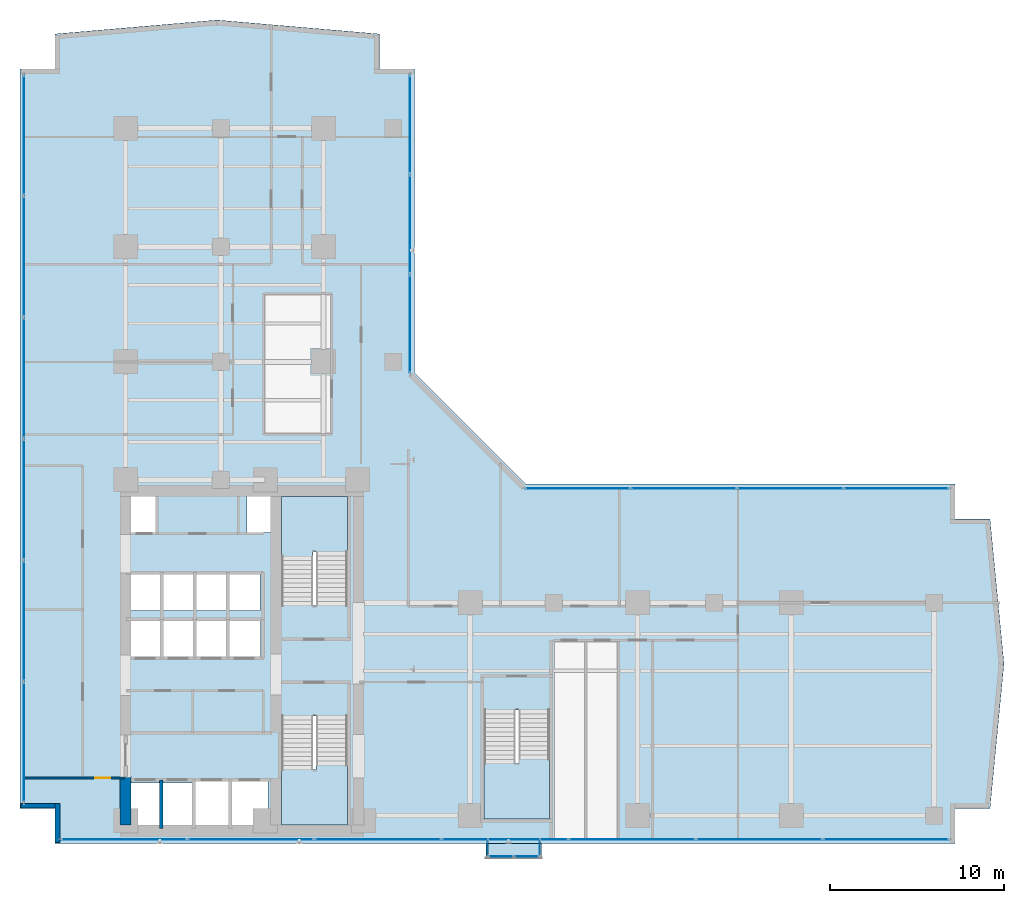
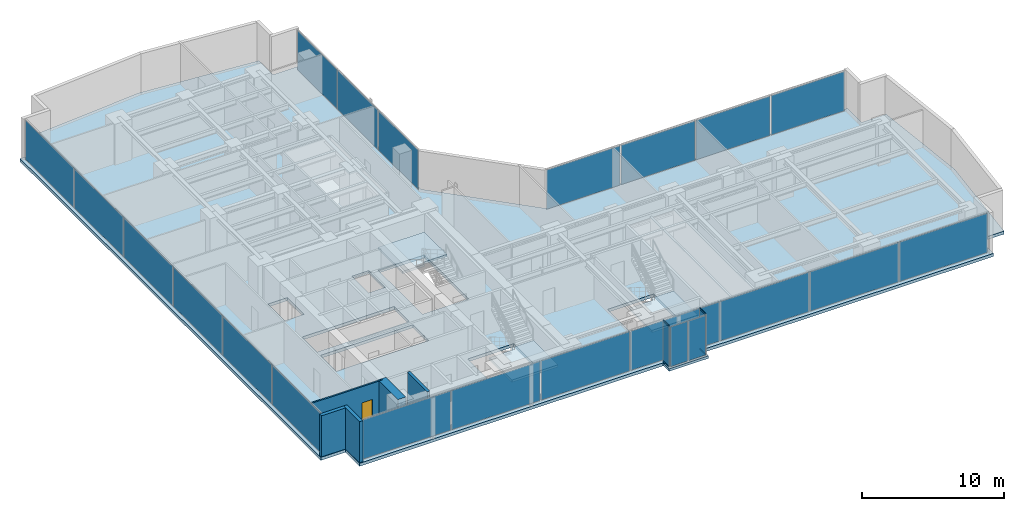
# One storey, part 18 of 26: 24 plates, 5 slabs, 5 walls, 4 members, 1 door, 1 opening, 10 elements without a shape of their own.
"""IFC4 building model written with IfcOpenShell, lengths in metres."""

import ifcopenshell
import ifcopenshell.guid

model = None  # the IFC model being written
_history = None  # IfcOwnerHistory: only IFC2X3 demands one
_inside = {}  # id of a spatial element -> (the spatial element, [elements in it])
_under = {}  # id of a project, library or spatial element -> (it, [spatial elements below it])
_declared = {}  # id of a project -> (the project, [libraries it declares])
_typed = {}  # id of a type object -> (the type object, [elements of that type])
_made_of = {}  # id of a material, layer set ... -> (it, [elements and type objects made of it])


def new_model(schema):
    """Start an empty IFC model of exactly this schema.

    Asked for "IFC4X3", IfcOpenShell would pick the latest addendum, in which some entities
    have other attributes; the version numbers below select the first issue.
    IFC2X3 requires an IfcOwnerHistory on every rooted entity: one is made here for all.
    """
    global model, _history
    if schema == "IFC4X3":
        model = ifcopenshell.file(schema_version=(4, 3, 0, 0))
    else:
        model = ifcopenshell.file(schema=schema)
    _inside.clear()
    _under.clear()
    _declared.clear()
    _typed.clear()
    _made_of.clear()
    _history = None
    if model.schema == "IFC2X3":
        org = make("IfcOrganization", Name="unknown")
        user = make(
            "IfcPersonAndOrganization",
            ThePerson=make("IfcPerson", FamilyName="unknown"),
            TheOrganization=org,
        )
        app = make(
            "IfcApplication",
            ApplicationDeveloper=org,
            Version="unknown",
            ApplicationFullName="unknown",
            ApplicationIdentifier="unknown",
        )
        _history = make(
            "IfcOwnerHistory",
            OwningUser=user,
            OwningApplication=app,
            ChangeAction="ADDED",
            CreationDate=0,
        )
    return model


def make(cls, **values):
    """One entity of the class cls with the attributes given. An attribute that is None is left unset."""
    return model.create_entity(
        cls, **{name: value for name, value in values.items() if value is not None}
    )


def rooted(cls, **values):
    """An entity with a GlobalId (a new one), such as an element, a storey or a relation."""
    return make(cls, GlobalId=ifcopenshell.guid.new(), OwnerHistory=_history, **values)


def si_unit(unit_type, name, prefix=None):
    """IfcSIUnit, for example si_unit("LENGTHUNIT", "METRE", prefix="MILLI")."""
    return make("IfcSIUnit", UnitType=unit_type, Prefix=prefix, Name=name)


def assignment(units):
    """IfcUnitAssignment: the units of a project."""
    return None if units is None else make("IfcUnitAssignment", Units=units)


def point(xyz):
    """IfcCartesianPoint."""
    return None if xyz is None else make("IfcCartesianPoint", Coordinates=xyz)


def direction(xyz):
    """IfcDirection."""
    return None if xyz is None else make("IfcDirection", DirectionRatios=xyz)


def frame(location, z_axis=None, x_axis=None):
    """IfcAxis2Placement3D, a coordinate frame: its origin and axes. An axis left out is left unset."""
    return make(
        "IfcAxis2Placement3D",
        Location=point(location),
        Axis=direction(z_axis),
        RefDirection=direction(x_axis),
    )


def frame_2d(location, x_axis=None):
    """IfcAxis2Placement2D, a coordinate frame in the plane: its origin and x axis."""
    return make(
        "IfcAxis2Placement2D", Location=point(location), RefDirection=direction(x_axis)
    )


def origin():
    """The frame at (0, 0, 0) with its axes left unset."""
    return frame((0.0, 0.0, 0.0))


def origin_with_axes():
    """The frame at (0, 0, 0) with the z axis (0, 0, 1) and the x axis (1, 0, 0) written out."""
    return frame((0.0, 0.0, 0.0), z_axis=(0.0, 0.0, 1.0), x_axis=(1.0, 0.0, 0.0))


def origin_2d():
    """The frame at (0, 0) in the plane with its x axis left unset."""
    return frame_2d((0.0, 0.0))


def place(relative_to, where):
    """IfcLocalPlacement: puts the frame where relative to a parent placement (None: the world)."""
    return make(
        "IfcLocalPlacement", PlacementRelTo=relative_to, RelativePlacement=where
    )


def context(
    kind, dimensions, precision=None, world=None, true_north=None, identifier=None
):
    """IfcGeometricRepresentationContext, for example the 3D "Model" context."""
    return make(
        "IfcGeometricRepresentationContext",
        ContextIdentifier=identifier,
        ContextType=kind,
        CoordinateSpaceDimension=dimensions,
        Precision=precision,
        WorldCoordinateSystem=world,
        TrueNorth=true_north,
    )


def subcontext(parent, identifier, kind, view, scale=None):
    """IfcGeometricRepresentationSubContext, for example "Body" below "Model"."""
    return make(
        "IfcGeometricRepresentationSubContext",
        ContextIdentifier=identifier,
        ContextType=kind,
        ParentContext=parent,
        TargetScale=scale,
        TargetView=view,
    )


def project(units=None, contexts=None):
    """IfcProject with its units and contexts."""
    return rooted(
        "IfcProject",
        Name="project",
        RepresentationContexts=contexts,
        UnitsInContext=assignment(units),
    )


def spatial(cls, under=None, at=None, **own):
    """A site, building, storey or space (cls), placed at a placement, below another one or the project."""
    s = rooted(cls, ObjectPlacement=at, **own)
    if under is not None:
        _under.setdefault(under.id(), (under, []))[1].append(s)
    return s


def polyline(points):
    """IfcPolyline through the points."""
    return make("IfcPolyline", Points=[point(p) for p in points])


def profile(cls, at=None, kind="AREA", **sizes):
    """A parametric profile (cls). Its sizes go by their IFC names, for example OverallWidth=200.0."""
    return make(cls, ProfileType=kind, Position=at, **sizes)


def rectangle(**sizes):
    """IfcRectangleProfileDef."""
    return profile("IfcRectangleProfileDef", **sizes)


def hollow_rectangle(**sizes):
    """IfcRectangleHollowProfileDef."""
    return profile("IfcRectangleHollowProfileDef", **sizes)


def outline(outer, holes=None, kind="AREA"):
    """IfcArbitraryClosedProfileDef: a profile drawn as a closed curve; with holes, ...WithVoids."""
    if holes is None:
        return make("IfcArbitraryClosedProfileDef", ProfileType=kind, OuterCurve=outer)
    return make(
        "IfcArbitraryProfileDefWithVoids",
        ProfileType=kind,
        OuterCurve=outer,
        InnerCurves=holes,
    )


def extrude(swept, where, along, depth):
    """IfcExtrudedAreaSolid: the profile swept, set in the frame where, extruded along a direction by depth."""
    return make(
        "IfcExtrudedAreaSolid",
        SweptArea=swept,
        Position=where,
        ExtrudedDirection=direction(along),
        Depth=depth,
    )


def shape(context_of_items, identifier, shape_type, items):
    """IfcShapeRepresentation: the items that make up one representation, for example the "Body"."""
    return make(
        "IfcShapeRepresentation",
        ContextOfItems=context_of_items,
        RepresentationIdentifier=identifier,
        RepresentationType=shape_type,
        Items=items,
    )


def source(mapping_origin, context_of_items, identifier, shape_type, items):
    """IfcRepresentationMap: a shape defined once, which mapped items show again and again."""
    return make(
        "IfcRepresentationMap",
        MappingOrigin=mapping_origin,
        MappedRepresentation=shape(context_of_items, identifier, shape_type, items),
    )


def transform(
    local_origin,
    x_axis=None,
    y_axis=None,
    z_axis=None,
    scale=None,
    scale2=None,
    scale3=None,
    uniform=True,
):
    """IfcCartesianTransformationOperator3D, or its non-uniform kind. x_axis, y_axis, z_axis: its Axis1, 2, 3."""
    if uniform:
        return make(
            "IfcCartesianTransformationOperator3D",
            Axis1=direction(x_axis),
            Axis2=direction(y_axis),
            LocalOrigin=point(local_origin),
            Scale=scale,
            Axis3=direction(z_axis),
        )
    return make(
        "IfcCartesianTransformationOperator3DnonUniform",
        Axis1=direction(x_axis),
        Axis2=direction(y_axis),
        LocalOrigin=point(local_origin),
        Scale=scale,
        Axis3=direction(z_axis),
        Scale2=scale2,
        Scale3=scale3,
    )


def mapped(mapping_source, mapping_target):
    """IfcMappedItem: shows the shape of a source again, moved by a transform."""
    return make(
        "IfcMappedItem", MappingSource=mapping_source, MappingTarget=mapping_target
    )


def material(Name=None, Category=None):
    """IfcMaterial."""
    return make("IfcMaterial", Name=Name, Category=Category)


def layer(
    of_material, thickness, ventilated=None, Name=None, Category=None, Priority=None
):
    """IfcMaterialLayer: one layer of a wall or slab, of a material (None: an air gap)."""
    return make(
        "IfcMaterialLayer",
        Material=of_material,
        LayerThickness=thickness,
        IsVentilated=ventilated,
        Name=Name,
        Category=Category,
        Priority=Priority,
    )


def layer_set(layers, Name=None):
    """IfcMaterialLayerSet."""
    return make("IfcMaterialLayerSet", MaterialLayers=layers, LayerSetName=Name)


def material_profile(
    of_material, cross_section, Name=None, Category=None, Priority=None
):
    """IfcMaterialProfile: a cross section and its material."""
    return make(
        "IfcMaterialProfile",
        Name=Name,
        Material=of_material,
        Profile=cross_section,
        Priority=Priority,
        Category=Category,
    )


def profile_set(profiles, Name=None, composite=None):
    """IfcMaterialProfileSet."""
    return make(
        "IfcMaterialProfileSet",
        Name=Name,
        MaterialProfiles=profiles,
        CompositeProfile=composite,
    )


def made_of(thing, what):
    """Note that an element or type object is made of a material, layer set ...; save() writes the relation."""
    if what is not None:
        _made_of.setdefault(what.id(), (what, []))[1].append(thing)
    return thing


def type_object(cls, material=None, **own):
    """A type object (cls), such as IfcWallType, which elements share."""
    return made_of(rooted(cls, **own), material)


def element(
    cls,
    number,
    at=None,
    inside=None,
    cuts=None,
    type_object=None,
    material=None,
    context=None,
    identifier="Body",
    shape_type=None,
    held_by="IfcProductDefinitionShape",
    body=None,
    shapes=None,
    **own,
):
    """One element of the class cls, such as IfcWall. Its Tag is "e" and its number.

    at: its placement. inside: the storey or other place that contains it. cuts: it is an
    opening in that element (IfcRelVoidsElement). A single representation is given by context,
    identifier, shape_type and body (its items); several are given by shapes. held_by: the class
    of the entity that holds the representations. save() writes the other relations.
    """
    e = rooted(cls, Tag="e%d" % number, ObjectPlacement=at, **own)
    if body is not None:
        shapes = [shape(context, identifier, shape_type, body)]
    if shapes is not None:
        e.Representation = make(held_by, Representations=shapes)
    if inside is not None:
        _inside.setdefault(inside.id(), (inside, []))[1].append(e)
    if cuts is not None:
        rooted(
            "IfcRelVoidsElement", RelatingBuildingElement=cuts, RelatedOpeningElement=e
        )
    if type_object is not None:
        _typed.setdefault(type_object.id(), (type_object, []))[1].append(e)
    return made_of(e, material)


def fill(opening, filler):
    """IfcRelFillsElement: the door or window that sits in an opening."""
    return rooted(
        "IfcRelFillsElement",
        RelatingOpeningElement=opening,
        RelatedBuildingElement=filler,
    )


def aggregate(whole, parts):
    """IfcRelAggregates: a whole, such as a stair, and the parts it consists of."""
    return rooted("IfcRelAggregates", RelatingObject=whole, RelatedObjects=parts)


def save(model, path):
    """Write the relations noted so far, then the file.

    IfcRelAggregates (storeys below a building ...), IfcRelContainedInSpatialStructure (elements
    in a storey), IfcRelDefinesByType, IfcRelAssociatesMaterial and IfcRelDeclares: one each for
    every whole, place, type object, material and project.
    """
    for whole, parts in _under.values():
        aggregate(whole, parts)
    for where, things in _inside.values():
        rooted(
            "IfcRelContainedInSpatialStructure",
            RelatedElements=things,
            RelatingStructure=where,
        )
    for kind, things in _typed.values():
        rooted("IfcRelDefinesByType", RelatedObjects=things, RelatingType=kind)
    for what, things in _made_of.values():
        rooted("IfcRelAssociatesMaterial", RelatedObjects=things, RelatingMaterial=what)
    for by, libraries in _declared.values():
        rooted("IfcRelDeclares", RelatingContext=by, RelatedDefinitions=libraries)
    model.write(path)


model = new_model("IFC4")

# Units and contexts
model_context = context("Model", 3, precision=1e-05, world=origin(), true_north=direction((0.0, 1.0)))
body_context = subcontext(model_context, "Body", "Model", "MODEL_VIEW")
ifc_project = project(units=[si_unit("LENGTHUNIT", "METRE"), si_unit("AREAUNIT", "SQUARE_METRE"), si_unit("VOLUMEUNIT", "CUBIC_METRE"), si_unit("PLANEANGLEUNIT", "RADIAN"), si_unit("MASSUNIT", "GRAM", prefix="KILO")], contexts=[model_context])

# Site, building, storey
site_placement = place(None, origin())
site = spatial("IfcSite", under=ifc_project, at=site_placement, CompositionType="ELEMENT")
building_placement = place(site_placement, origin())
building = spatial("IfcBuilding", under=site, at=building_placement, Name="Kolvaren Waterfront Exchange", CompositionType="ELEMENT")
storey_placement = place(building_placement, frame((0.0, 0.0, 125.89990234375)))
storey = spatial("IfcBuildingStorey", under=building, at=storey_placement, Name="L32", CompositionType="ELEMENT", Elevation=125.89990234375)

# Curtain wall, members
ifc_material_1 = material(Name="Anodised bronze aluminium 6063-T6", Category="aluminium")
ifc_layer_1 = layer(ifc_material_1, 0.219970703125, Name="Anodised bronze aluminium 6063-T6")
ifc_layer_set_1 = layer_set([ifc_layer_1], Name="Anodised bronze aluminium 6063-T6")
curtain_wall_type_1 = type_object("IfcCurtainWallType", Name="ARC-CW-SYS3", PredefinedType="USERDEFINED", material=ifc_layer_set_1)
curtain_wall_1_placement = place(storey_placement, origin())
curtain_wall_1 = element("IfcCurtainWall", 1, at=curtain_wall_1_placement, inside=storey, type_object=curtain_wall_type_1, Name="L32 stick curtain wall CW3 (CW-L32-BOX-W)", ObjectType="STICK CURTAIN WALL", PredefinedType="USERDEFINED")
ifc_material_profile = material_profile(ifc_material_1, hollow_rectangle(XDim=0.06494140625, YDim=0.1298828125, WallThickness=0.00390625, at=origin_2d()), Name="ALU-TRN-130x65x4")
ifc_profile_set = profile_set([ifc_material_profile], Name="Anodised bronze aluminium 6063-T6")
member_type = type_object("IfcMemberType", Name="ARC-CWT-130", PredefinedType="USERDEFINED", material=ifc_profile_set)
shared_shape_1 = source(origin_with_axes(), body_context, "Body", "SweptSolid", [
    extrude(hollow_rectangle(XDim=0.06494140625, YDim=0.1298828125, WallThickness=0.00390625, at=origin_2d()), origin(), (0.0, 0.0, 1.0), 0.829833984375),
])
member_1_placement = place(storey_placement, frame((28.2099609375, 3.764892578125, 0.03271484375), z_axis=(0.0, -1.0, 0.0), x_axis=(1.0, 0.0, 0.0)))
member_1 = element("IfcMember", 2, at=member_1_placement, type_object=member_type, Name="CW3 transom 1.1", ObjectType="TRANSOM", PredefinedType="USERDEFINED", context=body_context, shape_type="MappedRepresentation", body=[
    mapped(shared_shape_1, transform((0.0, 0.0, 0.0), x_axis=(1.0, 0.0, 0.0), y_axis=(0.0, 1.0, 0.0), z_axis=(0.0, 0.0, 1.0), scale=1.0)),
])
member_2_placement = place(storey_placement, frame((28.2099609375, 3.764892578125, 3.507568359375), z_axis=(0.0, -1.0, 0.0), x_axis=(1.0, 0.0, 0.0)))
member_2 = element("IfcMember", 3, at=member_2_placement, type_object=member_type, Name="CW3 transom 1.2", ObjectType="TRANSOM", PredefinedType="USERDEFINED", context=body_context, shape_type="MappedRepresentation", body=[
    mapped(shared_shape_1, transform((0.0, 0.0, 0.0), x_axis=(1.0, 0.0, 0.0), y_axis=(0.0, 1.0, 0.0), z_axis=(0.0, 0.0, 1.0), scale=1.0)),
])

curtain_wall_2_placement = place(storey_placement, origin())
curtain_wall_2 = element("IfcCurtainWall", 4, at=curtain_wall_2_placement, inside=storey, type_object=curtain_wall_type_1, Name="L32 stick curtain wall CW3 (CW-L32-BOX-E)", ObjectType="STICK CURTAIN WALL", PredefinedType="USERDEFINED")
member_3_placement = place(storey_placement, frame((31.18994140625, 2.93505859375, 0.03271484375), z_axis=(0.0, 1.0, 0.0), x_axis=(-1.0, 0.0, 0.0)))
member_3 = element("IfcMember", 5, at=member_3_placement, type_object=member_type, Name="CW3 transom 1.1", ObjectType="TRANSOM", PredefinedType="USERDEFINED", context=body_context, shape_type="MappedRepresentation", body=[
    mapped(shared_shape_1, transform((0.0, 0.0, 0.0), x_axis=(1.0, 0.0, 0.0), y_axis=(0.0, 1.0, 0.0), z_axis=(0.0, 0.0, 1.0), scale=1.0)),
])
member_4_placement = place(storey_placement, frame((31.18994140625, 2.93505859375, 3.507568359375), z_axis=(0.0, 1.0, 0.0), x_axis=(-1.0, 0.0, 0.0)))
member_4 = element("IfcMember", 6, at=member_4_placement, type_object=member_type, Name="CW3 transom 1.2", ObjectType="TRANSOM", PredefinedType="USERDEFINED", context=body_context, shape_type="MappedRepresentation", body=[
    mapped(shared_shape_1, transform((0.0, 0.0, 0.0), x_axis=(1.0, 0.0, 0.0), y_axis=(0.0, 1.0, 0.0), z_axis=(0.0, 0.0, 1.0), scale=1.0)),
])

# Stair, slab
ifc_material_2 = material(Name="Concrete C40/50", Category="concrete")
stair_type = type_object("IfcStairType", Name="ARC-STAIR-3800", PredefinedType="HALF_TURN_STAIR", material=ifc_material_2)
stair_1_placement = place(storey_placement, origin())
stair_1 = element("IfcStair", 7, at=stair_1_placement, inside=storey, type_object=stair_type, Name="L32 Smoke-proof exit stair ST1", PredefinedType="HALF_TURN_STAIR")
ifc_layer_2 = layer(ifc_material_2, 0.199951171875, Name="Concrete C40/50")
ifc_layer_set_2 = layer_set([ifc_layer_2], Name="Concrete C40/50")
slab_type_1 = type_object("IfcSlabType", Name="STR-LANDING-200", PredefinedType="LANDING", material=ifc_layer_set_2)
slab_1_placement = place(storey_placement, frame((0.0, 0.0, 1.776123046875)))
slab_1 = element("IfcSlab", 8, at=slab_1_placement, type_object=slab_type_1, Name="ST1 landing 1", PredefinedType="LANDING", context=body_context, shape_type="SweptSolid", body=[
    extrude(outline(polyline([(16.39990234375, 7.840087890625), (16.39990234375, 4.64990234375), (20.159912109375, 4.64990234375), (20.159912109375, 8.10009765625), (18.360107421875, 8.10009765625), (18.360107421875, 7.840087890625), (16.39990234375, 7.840087890625)])), origin(), (0.0, 0.0, 1.0), 0.199951171875),
])
aggregate(stair_1, [slab_1])

stair_2_placement = place(storey_placement, origin())
stair_2 = element("IfcStair", 9, at=stair_2_placement, inside=storey, type_object=stair_type, Name="L32 Smoke-proof exit stair ST2", PredefinedType="HALF_TURN_STAIR")
slab_2_placement = place(storey_placement, frame((0.0, 0.0, 1.776123046875)))
slab_2 = element("IfcSlab", 10, at=slab_2_placement, type_object=slab_type_1, Name="ST2 landing 1", PredefinedType="LANDING", context=body_context, shape_type="SweptSolid", body=[
    extrude(outline(polyline([(20.159912109375, 20.31005859375), (20.159912109375, 23.5), (16.39990234375, 23.5), (16.39990234375, 20.050048828125), (18.199951171875, 20.050048828125), (18.199951171875, 20.31005859375), (20.159912109375, 20.31005859375)])), origin(), (0.0, 0.0, 1.0), 0.199951171875),
])
aggregate(stair_2, [slab_2])

stair_3_placement = place(storey_placement, origin())
stair_3 = element("IfcStair", 11, at=stair_3_placement, inside=storey, type_object=stair_type, Name="L32 Exit stair ST3", PredefinedType="HALF_TURN_STAIR")
slab_3_placement = place(storey_placement, frame((0.0, 0.0, 1.776123046875)))
slab_3 = element("IfcSlab", 12, at=slab_3_placement, type_object=slab_type_1, Name="ST3 landing 1", PredefinedType="LANDING", context=body_context, shape_type="SweptSolid", body=[
    extrude(outline(polyline([(28.0, 8.18994140625), (28.0, 5.0), (31.760009765625, 5.0), (31.760009765625, 8.449951171875), (29.9599609375, 8.449951171875), (29.9599609375, 8.18994140625), (28.0, 8.18994140625)])), origin(), (0.0, 0.0, 1.0), 0.199951171875),
])
aggregate(stair_3, [slab_3])

# Slabs
ifc_layer_3 = layer(ifc_material_2, 0.260009765625, Name="Concrete C40/50")
ifc_layer_set_3 = layer_set([ifc_layer_3], Name="Concrete C40/50")
slab_type_2 = type_object("IfcSlabType", Name="STR-SLAB-260", PredefinedType="FLOOR", material=ifc_layer_set_3)
slab_4_placement = place(storey_placement, frame((0.0, 0.0, -0.260009765625)))
element("IfcSlab", 13, at=slab_4_placement, inside=storey, type_object=slab_type_2, Name="L32 structural floor slab", PredefinedType="FLOOR", context=body_context, shape_type="SweptSolid", body=[
    extrude(outline(polyline([(3.39990234375, 3.60009765625), (55.0, 3.60009765625), (55.0, 5.60009765625), (57.0, 5.60009765625), (57.800048828125, 13.89990234375), (57.0, 22.199951171875), (55.0, 22.199951171875), (55.0, 24.199951171875), (30.39990234375, 24.199951171875), (24.0, 30.60009765625), (24.0, 48.0), (22.0, 48.0), (22.0, 50.0), (12.699951171875, 50.800048828125), (3.39990234375, 50.0), (3.39990234375, 48.0), (1.39990234375, 48.0), (1.39990234375, 5.60009765625), (3.39990234375, 5.60009765625), (3.39990234375, 3.60009765625)]), holes=[polyline([(11.320068359375, 7.260009765625), (15.610107421875, 7.260009765625), (15.610107421875, 4.5400390625), (7.719970703125, 4.5400390625), (7.719970703125, 7.06005859375), (11.320068359375, 7.06005859375), (11.320068359375, 7.260009765625)]), polyline([(20.159912109375, 10.89990234375), (20.159912109375, 4.64990234375), (16.39990234375, 4.64990234375), (16.39990234375, 10.89990234375), (20.159912109375, 10.89990234375)]), polyline([(31.760009765625, 11.25), (31.760009765625, 5.0), (28.0, 5.0), (28.0, 11.25), (31.760009765625, 11.25)]), polyline([(15.18505859375, 14.239990234375), (7.64501953125, 14.239990234375), (7.64501953125, 16.4599609375), (15.18505859375, 16.4599609375), (15.18505859375, 14.239990234375)]), polyline([(15.159912109375, 16.93994140625), (7.669921875, 16.93994140625), (7.669921875, 19.06005859375), (15.159912109375, 19.06005859375), (15.159912109375, 16.93994140625)]), polyline([(16.39990234375, 23.5), (20.159912109375, 23.5), (20.159912109375, 17.25), (16.39990234375, 17.25), (16.39990234375, 23.5)]), polyline([(7.60009765625, 23.780029296875), (9.179931640625, 23.780029296875), (9.179931640625, 21.419921875), (7.60009765625, 21.419921875), (7.60009765625, 23.780029296875)]), polyline([(15.800048828125, 23.780029296875), (15.800048828125, 21.419921875), (14.419921875, 21.419921875), (14.419921875, 23.780029296875), (15.800048828125, 23.780029296875)])]), origin(), (0.0, 0.0, 1.0), 0.260009765625),
])
ifc_layer_4 = layer(ifc_material_2, 0.219970703125, Name="Concrete C40/50")
ifc_layer_set_4 = layer_set([ifc_layer_4], Name="Concrete C40/50")
slab_type_3 = type_object("IfcSlabType", Name="STR-TERR-220", PredefinedType="FLOOR", material=ifc_layer_set_4)
slab_5_placement = place(storey_placement, frame((0.0, 0.0, -0.219970703125)))
element("IfcSlab", 14, at=slab_5_placement, inside=storey, type_object=slab_type_3, Name="L32 projecting bay-box floor strip", PredefinedType="FLOOR", context=body_context, shape_type="SweptSolid", body=[
    extrude(outline(polyline([(28.10009765625, 2.75), (31.300048828125, 2.75), (31.300048828125, 3.60009765625), (28.10009765625, 3.60009765625), (28.10009765625, 2.75)])), origin(), (0.0, 0.0, 1.0), 0.219970703125),
])

# Plate
ifc_material_3 = material(Name="Bronze tinted bay-box vision glass", Category="aluminium")
ifc_layer_5 = layer(ifc_material_3, 0.02392578125, Name="Bronze tinted bay-box vision glass")
ifc_layer_set_5 = layer_set([ifc_layer_5], Name="Bronze tinted bay-box vision glass")
plate_type_1 = type_object("IfcPlateType", Name="ARC-CWP-24", PredefinedType="CURTAIN_PANEL", material=ifc_layer_set_5)
shared_shape_2 = source(origin_with_axes(), body_context, "Body", "SweptSolid", [
    extrude(rectangle(XDim=0.830078125, YDim=0.02392578125, at=origin_2d()), origin(), (0.0, 0.0, 1.0), 3.409912109375),
])
plate_1_placement = place(storey_placement, frame((28.2099609375, 3.35009765625, 0.06494140625), z_axis=(0.0, 0.0, 1.0), x_axis=(0.0, -1.0, 0.0)))
plate_1 = element("IfcPlate", 15, at=plate_1_placement, type_object=plate_type_1, Name="CW3 panel 1.1", PredefinedType="CURTAIN_PANEL", context=body_context, shape_type="MappedRepresentation", body=[
    mapped(shared_shape_2, transform((0.0, 0.0, 0.0), x_axis=(1.0, 0.0, 0.0), y_axis=(0.0, 1.0, 0.0), z_axis=(0.0, 0.0, 1.0), scale=1.0)),
])

aggregate(curtain_wall_1, [member_1, member_2, plate_1])

plate_2_placement = place(storey_placement, frame((31.18994140625, 3.35009765625, 0.06494140625), z_axis=(0.0, 0.0, 1.0), x_axis=(0.0, 1.0, 0.0)))
plate_2 = element("IfcPlate", 16, at=plate_2_placement, type_object=plate_type_1, Name="CW3 panel 1.1", PredefinedType="CURTAIN_PANEL", context=body_context, shape_type="MappedRepresentation", body=[
    mapped(shared_shape_2, transform((0.0, 0.0, 0.0), x_axis=(1.0, 0.0, 0.0), y_axis=(0.0, 1.0, 0.0), z_axis=(0.0, 0.0, 1.0), scale=1.0)),
])

aggregate(curtain_wall_2, [member_3, member_4, plate_2])

# Curtain wall, plates
curtain_wall_3_placement = place(storey_placement, origin())
curtain_wall_3 = element("IfcCurtainWall", 17, at=curtain_wall_3_placement, inside=storey, type_object=curtain_wall_type_1, Name="L32 stick curtain wall CW3 (CW-L32-BOX)", ObjectType="STICK CURTAIN WALL", PredefinedType="USERDEFINED")
shared_shape_3 = source(origin_with_axes(), body_context, "Body", "SweptSolid", [
    extrude(rectangle(XDim=1.37744140625, YDim=0.02392578125, at=origin_2d()), origin(), (0.0, 0.0, 1.0), 3.409912109375),
])
plate_3_placement = place(storey_placement, frame((28.9736328125, 2.860107421875, 0.06494140625), z_axis=(0.0, 0.0, 1.0), x_axis=(1.0, 0.0, 0.0)))
plate_3 = element("IfcPlate", 18, at=plate_3_placement, type_object=plate_type_1, Name="CW3 panel 1.1", PredefinedType="CURTAIN_PANEL", context=body_context, shape_type="MappedRepresentation", body=[
    mapped(shared_shape_3, transform((0.0, 0.0, 0.0), x_axis=(1.0, 0.0, 0.0), y_axis=(0.0, 1.0, 0.0), z_axis=(0.0, 0.0, 1.0), scale=1.0)),
])
plate_4_placement = place(storey_placement, frame((30.42626953125, 2.860107421875, 0.06494140625), z_axis=(0.0, 0.0, 1.0), x_axis=(1.0, 0.0, 0.0)))
plate_4 = element("IfcPlate", 19, at=plate_4_placement, type_object=plate_type_1, Name="CW3 panel 2.1", PredefinedType="CURTAIN_PANEL", context=body_context, shape_type="MappedRepresentation", body=[
    mapped(shared_shape_3, transform((0.0, 0.0, 0.0), x_axis=(1.0, 0.0, 0.0), y_axis=(0.0, 1.0, 0.0), z_axis=(0.0, 0.0, 1.0), scale=1.0)),
])
aggregate(curtain_wall_3, [plate_3, plate_4])

ifc_material_4 = material(Name="Anodised aluminium 6063-T6", Category="aluminium")
ifc_layer_6 = layer(ifc_material_4, 0.219970703125, Name="Anodised aluminium 6063-T6")
ifc_layer_set_6 = layer_set([ifc_layer_6], Name="Anodised aluminium 6063-T6")
curtain_wall_type_2 = type_object("IfcCurtainWallType", Name="ARC-CW-SYS2", PredefinedType="USERDEFINED", material=ifc_layer_set_6)
curtain_wall_4_placement = place(storey_placement, origin())
curtain_wall_4 = element("IfcCurtainWall", 20, at=curtain_wall_4_placement, inside=storey, type_object=curtain_wall_type_2, Name="L32 stick curtain wall CW2 (CW-L32-W)", ObjectType="STICK CURTAIN WALL", PredefinedType="USERDEFINED")
ifc_material_5 = material(Name="Acoustic laminated vision glass", Category="glass")
ifc_layer_7 = layer(ifc_material_5, 0.031982421875, Name="Acoustic laminated vision glass")
ifc_layer_set_7 = layer_set([ifc_layer_7], Name="Acoustic laminated vision glass")
plate_type_2 = type_object("IfcPlateType", Name="ARC-CWP-32", PredefinedType="CURTAIN_PANEL", material=ifc_layer_set_7)
shared_shape_4 = source(origin_with_axes(), body_context, "Body", "SweptSolid", [
    extrude(rectangle(XDim=6.8466796875, YDim=0.031982421875, at=origin_2d()), origin(), (0.0, 0.0, 1.0), 3.389892578125),
])
plate_5_placement = place(storey_placement, frame((1.639892578125, 9.4033203125, 0.0751953125), z_axis=(0.0, 0.0, 1.0), x_axis=(0.0, 1.0, 0.0)))
plate_5 = element("IfcPlate", 21, at=plate_5_placement, type_object=plate_type_2, Name="CW2 panel 1.1", PredefinedType="CURTAIN_PANEL", context=body_context, shape_type="MappedRepresentation", body=[
    mapped(shared_shape_4, transform((0.0, 0.0, 0.0), x_axis=(1.0, 0.0, 0.0), y_axis=(0.0, 1.0, 0.0), z_axis=(0.0, 0.0, 1.0), scale=1.0)),
])
plate_6_placement = place(storey_placement, frame((1.639892578125, 44.19677734375, 0.0751953125), z_axis=(0.0, 0.0, 1.0), x_axis=(0.0, 1.0, 0.0)))
plate_6 = element("IfcPlate", 22, at=plate_6_placement, type_object=plate_type_2, Name="CW2 panel 6.1", PredefinedType="CURTAIN_PANEL", context=body_context, shape_type="MappedRepresentation", body=[
    mapped(shared_shape_4, transform((0.0, 0.0, 0.0), x_axis=(1.0, 0.0, 0.0), y_axis=(0.0, 1.0, 0.0), z_axis=(0.0, 0.0, 1.0), scale=1.0)),
])
shared_shape_5 = source(origin_with_axes(), body_context, "Body", "SweptSolid", [
    extrude(rectangle(XDim=6.88671875, YDim=0.031982421875, at=origin_2d()), origin(), (0.0, 0.0, 1.0), 3.389892578125),
])
plate_7_placement = place(storey_placement, frame((1.639892578125, 16.35009765625, 0.0751953125), z_axis=(0.0, 0.0, 1.0), x_axis=(0.0, 1.0, 0.0)))
plate_7 = element("IfcPlate", 23, at=plate_7_placement, type_object=plate_type_2, Name="CW2 panel 2.1", PredefinedType="CURTAIN_PANEL", context=body_context, shape_type="MappedRepresentation", body=[
    mapped(shared_shape_5, transform((0.0, 0.0, 0.0), x_axis=(1.0, 0.0, 0.0), y_axis=(0.0, 1.0, 0.0), z_axis=(0.0, 0.0, 1.0), scale=1.0)),
])
plate_8_placement = place(storey_placement, frame((1.639892578125, 23.316650390625, 0.0751953125), z_axis=(0.0, 0.0, 1.0), x_axis=(0.0, 1.0, 0.0)))
plate_8 = element("IfcPlate", 24, at=plate_8_placement, type_object=plate_type_2, Name="CW2 panel 3.1", PredefinedType="CURTAIN_PANEL", context=body_context, shape_type="MappedRepresentation", body=[
    mapped(shared_shape_5, transform((0.0, 0.0, 0.0), x_axis=(1.0, 0.0, 0.0), y_axis=(0.0, 1.0, 0.0), z_axis=(0.0, 0.0, 1.0), scale=1.0)),
])
plate_9_placement = place(storey_placement, frame((1.639892578125, 30.283447265625, 0.0751953125), z_axis=(0.0, 0.0, 1.0), x_axis=(0.0, 1.0, 0.0)))
plate_9 = element("IfcPlate", 25, at=plate_9_placement, type_object=plate_type_2, Name="CW2 panel 4.1", PredefinedType="CURTAIN_PANEL", context=body_context, shape_type="MappedRepresentation", body=[
    mapped(shared_shape_5, transform((0.0, 0.0, 0.0), x_axis=(1.0, 0.0, 0.0), y_axis=(0.0, 1.0, 0.0), z_axis=(0.0, 0.0, 1.0), scale=1.0)),
])
plate_10_placement = place(storey_placement, frame((1.639892578125, 37.25, 0.0751953125), z_axis=(0.0, 0.0, 1.0), x_axis=(0.0, 1.0, 0.0)))
plate_10 = element("IfcPlate", 26, at=plate_10_placement, type_object=plate_type_2, Name="CW2 panel 5.1", PredefinedType="CURTAIN_PANEL", context=body_context, shape_type="MappedRepresentation", body=[
    mapped(shared_shape_5, transform((0.0, 0.0, 0.0), x_axis=(1.0, 0.0, 0.0), y_axis=(0.0, 1.0, 0.0), z_axis=(0.0, 0.0, 1.0), scale=1.0)),
])
aggregate(curtain_wall_4, [plate_5, plate_7, plate_8, plate_9, plate_10, plate_6])

ifc_layer_8 = layer(ifc_material_1, 0.219970703125, Name="Anodised bronze aluminium 6063-T6")
ifc_layer_set_8 = layer_set([ifc_layer_8], Name="Anodised bronze aluminium 6063-T6")
curtain_wall_type_3 = type_object("IfcCurtainWallType", Name="ARC-CW-SYS1", PredefinedType="USERDEFINED", material=ifc_layer_set_8)
curtain_wall_5_placement = place(storey_placement, origin())
curtain_wall_5 = element("IfcCurtainWall", 27, at=curtain_wall_5_placement, inside=storey, type_object=curtain_wall_type_3, Name="L32 stick curtain wall CW1 (CW-L32-NE)", ObjectType="STICK CURTAIN WALL", PredefinedType="USERDEFINED")
ifc_material_6 = material(Name="Bronze solar control vision glass", Category="aluminium")
ifc_layer_9 = layer(ifc_material_6, 0.028076171875, Name="Bronze solar control vision glass")
ifc_layer_set_9 = layer_set([ifc_layer_9], Name="Bronze solar control vision glass")
plate_type_3 = type_object("IfcPlateType", Name="ARC-CWP-28", PredefinedType="CURTAIN_PANEL", material=ifc_layer_set_9)
shared_shape_6 = source(origin_with_axes(), body_context, "Body", "SweptSolid", [
    extrude(rectangle(XDim=5.61669921875, YDim=0.028076171875, at=origin_2d()), origin(), (0.0, 0.0, 1.0), 3.389892578125),
])
plate_11_placement = place(storey_placement, frame((23.760009765625, 33.37841796875, 0.0751953125), z_axis=(0.0, 0.0, 1.0), x_axis=(0.0, 1.0, 0.0)))
plate_11 = element("IfcPlate", 28, at=plate_11_placement, type_object=plate_type_3, Name="CW1 panel 1.1", PredefinedType="CURTAIN_PANEL", context=body_context, shape_type="MappedRepresentation", body=[
    mapped(shared_shape_6, transform((0.0, 0.0, 0.0), x_axis=(1.0, 0.0, 0.0), y_axis=(0.0, 1.0, 0.0), z_axis=(0.0, 0.0, 1.0), scale=1.0)),
])
plate_12_placement = place(storey_placement, frame((23.760009765625, 44.811767578125, 0.0751953125), z_axis=(0.0, 0.0, 1.0), x_axis=(0.0, 1.0, 0.0)))
plate_12 = element("IfcPlate", 29, at=plate_12_placement, type_object=plate_type_3, Name="CW1 panel 3.1", PredefinedType="CURTAIN_PANEL", context=body_context, shape_type="MappedRepresentation", body=[
    mapped(shared_shape_6, transform((0.0, 0.0, 0.0), x_axis=(1.0, 0.0, 0.0), y_axis=(0.0, 1.0, 0.0), z_axis=(0.0, 0.0, 1.0), scale=1.0)),
])
shared_shape_7 = source(origin_with_axes(), body_context, "Body", "SweptSolid", [
    extrude(rectangle(XDim=5.65673828125, YDim=0.028076171875, at=origin_2d()), origin(), (0.0, 0.0, 1.0), 3.389892578125),
])
plate_13_placement = place(storey_placement, frame((23.760009765625, 39.094970703125, 0.0751953125), z_axis=(0.0, 0.0, 1.0), x_axis=(0.0, 1.0, 0.0)))
plate_13 = element("IfcPlate", 30, at=plate_13_placement, type_object=plate_type_3, Name="CW1 panel 2.1", PredefinedType="CURTAIN_PANEL", context=body_context, shape_type="MappedRepresentation", body=[
    mapped(shared_shape_7, transform((0.0, 0.0, 0.0), x_axis=(1.0, 0.0, 0.0), y_axis=(0.0, 1.0, 0.0), z_axis=(0.0, 0.0, 1.0), scale=1.0)),
])
aggregate(curtain_wall_5, [plate_11, plate_13, plate_12])

curtain_wall_6_placement = place(storey_placement, origin())
curtain_wall_6 = element("IfcCurtainWall", 31, at=curtain_wall_6_placement, inside=storey, type_object=curtain_wall_type_3, Name="L32 stick curtain wall CW1 (CW-L32-EN)", ObjectType="STICK CURTAIN WALL", PredefinedType="USERDEFINED")
shared_shape_8 = source(origin_with_axes(), body_context, "Body", "SweptSolid", [
    extrude(rectangle(XDim=5.982421875, YDim=0.028076171875, at=origin_2d()), origin(), (0.0, 0.0, 1.0), 3.389892578125),
])
plate_14_placement = place(storey_placement, frame((33.361328125, 23.9599609375, 0.0751953125), z_axis=(0.0, 0.0, 1.0), x_axis=(1.0, 0.0, 0.0)))
plate_14 = element("IfcPlate", 32, at=plate_14_placement, type_object=plate_type_3, Name="CW1 panel 1.1", PredefinedType="CURTAIN_PANEL", context=body_context, shape_type="MappedRepresentation", body=[
    mapped(shared_shape_8, transform((0.0, 0.0, 0.0), x_axis=(1.0, 0.0, 0.0), y_axis=(0.0, 1.0, 0.0), z_axis=(0.0, 0.0, 1.0), scale=1.0)),
])
plate_15_placement = place(storey_placement, frame((51.628662109375, 23.9599609375, 0.0751953125), z_axis=(0.0, 0.0, 1.0), x_axis=(1.0, 0.0, 0.0)))
plate_15 = element("IfcPlate", 33, at=plate_15_placement, type_object=plate_type_3, Name="CW1 panel 4.1", PredefinedType="CURTAIN_PANEL", context=body_context, shape_type="MappedRepresentation", body=[
    mapped(shared_shape_8, transform((0.0, 0.0, 0.0), x_axis=(1.0, 0.0, 0.0), y_axis=(0.0, 1.0, 0.0), z_axis=(0.0, 0.0, 1.0), scale=1.0)),
])
shared_shape_9 = source(origin_with_axes(), body_context, "Body", "SweptSolid", [
    extrude(rectangle(XDim=6.0224609375, YDim=0.028076171875, at=origin_2d()), origin(), (0.0, 0.0, 1.0), 3.389892578125),
])
plate_16_placement = place(storey_placement, frame((39.44384765625, 23.9599609375, 0.0751953125), z_axis=(0.0, 0.0, 1.0), x_axis=(1.0, 0.0, 0.0)))
plate_16 = element("IfcPlate", 34, at=plate_16_placement, type_object=plate_type_3, Name="CW1 panel 2.1", PredefinedType="CURTAIN_PANEL", context=body_context, shape_type="MappedRepresentation", body=[
    mapped(shared_shape_9, transform((0.0, 0.0, 0.0), x_axis=(1.0, 0.0, 0.0), y_axis=(0.0, 1.0, 0.0), z_axis=(0.0, 0.0, 1.0), scale=1.0)),
])
plate_17_placement = place(storey_placement, frame((45.546142578125, 23.9599609375, 0.0751953125), z_axis=(0.0, 0.0, 1.0), x_axis=(1.0, 0.0, 0.0)))
plate_17 = element("IfcPlate", 35, at=plate_17_placement, type_object=plate_type_3, Name="CW1 panel 3.1", PredefinedType="CURTAIN_PANEL", context=body_context, shape_type="MappedRepresentation", body=[
    mapped(shared_shape_9, transform((0.0, 0.0, 0.0), x_axis=(1.0, 0.0, 0.0), y_axis=(0.0, 1.0, 0.0), z_axis=(0.0, 0.0, 1.0), scale=1.0)),
])
aggregate(curtain_wall_6, [plate_14, plate_16, plate_17, plate_15])

curtain_wall_7_placement = place(storey_placement, origin())
curtain_wall_7 = element("IfcCurtainWall", 36, at=curtain_wall_7_placement, inside=storey, type_object=curtain_wall_type_3, Name="L32 stick curtain wall CW1 (CW-L32-S)", ObjectType="STICK CURTAIN WALL", PredefinedType="USERDEFINED")
shared_shape_10 = source(origin_with_axes(), body_context, "Body", "SweptSolid", [
    extrude(rectangle(XDim=7.165771484375, YDim=0.028076171875, at=origin_2d()), origin(), (0.0, 0.0, 1.0), 3.389892578125),
])
plate_18_placement = place(storey_placement, frame((7.36279296875, 3.840087890625, 0.0751953125), z_axis=(0.0, 0.0, 1.0), x_axis=(1.0, 0.0, 0.0)))
plate_18 = element("IfcPlate", 37, at=plate_18_placement, type_object=plate_type_3, Name="CW1 panel 1.1", PredefinedType="CURTAIN_PANEL", context=body_context, shape_type="MappedRepresentation", body=[
    mapped(shared_shape_10, transform((0.0, 0.0, 0.0), x_axis=(1.0, 0.0, 0.0), y_axis=(0.0, 1.0, 0.0), z_axis=(0.0, 0.0, 1.0), scale=1.0)),
])
plate_19_placement = place(storey_placement, frame((51.037109375, 3.840087890625, 0.0751953125), z_axis=(0.0, 0.0, 1.0), x_axis=(1.0, 0.0, 0.0)))
plate_19 = element("IfcPlate", 38, at=plate_19_placement, type_object=plate_type_3, Name="CW1 panel 7.1", PredefinedType="CURTAIN_PANEL", context=body_context, shape_type="MappedRepresentation", body=[
    mapped(shared_shape_10, transform((0.0, 0.0, 0.0), x_axis=(1.0, 0.0, 0.0), y_axis=(0.0, 1.0, 0.0), z_axis=(0.0, 0.0, 1.0), scale=1.0)),
])
shared_shape_11 = source(origin_with_axes(), body_context, "Body", "SweptSolid", [
    extrude(rectangle(XDim=7.205810546875, YDim=0.028076171875, at=origin_2d()), origin(), (0.0, 0.0, 1.0), 3.389892578125),
])
plate_20_placement = place(storey_placement, frame((14.628662109375, 3.840087890625, 0.0751953125), z_axis=(0.0, 0.0, 1.0), x_axis=(1.0, 0.0, 0.0)))
plate_20 = element("IfcPlate", 39, at=plate_20_placement, type_object=plate_type_3, Name="CW1 panel 2.1", PredefinedType="CURTAIN_PANEL", context=body_context, shape_type="MappedRepresentation", body=[
    mapped(shared_shape_11, transform((0.0, 0.0, 0.0), x_axis=(1.0, 0.0, 0.0), y_axis=(0.0, 1.0, 0.0), z_axis=(0.0, 0.0, 1.0), scale=1.0)),
])
plate_21_placement = place(storey_placement, frame((21.914306640625, 3.840087890625, 0.0751953125), z_axis=(0.0, 0.0, 1.0), x_axis=(1.0, 0.0, 0.0)))
plate_21 = element("IfcPlate", 40, at=plate_21_placement, type_object=plate_type_3, Name="CW1 panel 3.1", PredefinedType="CURTAIN_PANEL", context=body_context, shape_type="MappedRepresentation", body=[
    mapped(shared_shape_11, transform((0.0, 0.0, 0.0), x_axis=(1.0, 0.0, 0.0), y_axis=(0.0, 1.0, 0.0), z_axis=(0.0, 0.0, 1.0), scale=1.0)),
])
plate_22_placement = place(storey_placement, frame((29.199951171875, 3.840087890625, 0.0751953125), z_axis=(0.0, 0.0, 1.0), x_axis=(1.0, 0.0, 0.0)))
plate_22 = element("IfcPlate", 41, at=plate_22_placement, type_object=plate_type_3, Name="CW1 panel 4.1", PredefinedType="CURTAIN_PANEL", context=body_context, shape_type="MappedRepresentation", body=[
    mapped(shared_shape_11, transform((0.0, 0.0, 0.0), x_axis=(1.0, 0.0, 0.0), y_axis=(0.0, 1.0, 0.0), z_axis=(0.0, 0.0, 1.0), scale=1.0)),
])
plate_23_placement = place(storey_placement, frame((36.485595703125, 3.840087890625, 0.0751953125), z_axis=(0.0, 0.0, 1.0), x_axis=(1.0, 0.0, 0.0)))
plate_23 = element("IfcPlate", 42, at=plate_23_placement, type_object=plate_type_3, Name="CW1 panel 5.1", PredefinedType="CURTAIN_PANEL", context=body_context, shape_type="MappedRepresentation", body=[
    mapped(shared_shape_11, transform((0.0, 0.0, 0.0), x_axis=(1.0, 0.0, 0.0), y_axis=(0.0, 1.0, 0.0), z_axis=(0.0, 0.0, 1.0), scale=1.0)),
])
plate_24_placement = place(storey_placement, frame((43.771484375, 3.840087890625, 0.0751953125), z_axis=(0.0, 0.0, 1.0), x_axis=(1.0, 0.0, 0.0)))
plate_24 = element("IfcPlate", 43, at=plate_24_placement, type_object=plate_type_3, Name="CW1 panel 6.1", PredefinedType="CURTAIN_PANEL", context=body_context, shape_type="MappedRepresentation", body=[
    mapped(shared_shape_11, transform((0.0, 0.0, 0.0), x_axis=(1.0, 0.0, 0.0), y_axis=(0.0, 1.0, 0.0), z_axis=(0.0, 0.0, 1.0), scale=1.0)),
])
aggregate(curtain_wall_7, [plate_18, plate_20, plate_21, plate_22, plate_23, plate_24, plate_19])

# Walls
ifc_material_7 = material(Name="Precast concrete C40/50", Category="concrete")
ifc_layer_10 = layer(ifc_material_7, 0.280029296875, Name="Precast concrete C40/50")
ifc_layer_set_10 = layer_set([ifc_layer_10], Name="Precast concrete C40/50")
wall_type_1 = type_object("IfcWallType", Name="ARC-EXT-TERR-280", PredefinedType="SOLIDWALL", material=ifc_layer_set_10)
wall_1_placement = place(storey_placement, frame((3.56005859375, 3.659912109375, 0.0), z_axis=(0.0, 0.0, 1.0), x_axis=(0.0, 1.0, 0.0)))
element("IfcWall", 44, at=wall_1_placement, inside=storey, type_object=wall_type_1, Name="L32 notched corner spandrel pier SW-A", PredefinedType="SOLIDWALL", context=body_context, shape_type="SweptSolid", body=[
    extrude(rectangle(XDim=2.239990234375, YDim=0.280029296875, at=frame_2d((1.1201171875, 0.0))), origin(), (0.0, 0.0, 1.0), 3.5400390625),
])
wall_2_placement = place(storey_placement, frame((1.4599609375, 5.760009765625, 0.0), z_axis=(0.0, 0.0, 1.0), x_axis=(1.0, 0.0, 0.0)))
element("IfcWall", 45, at=wall_2_placement, inside=storey, type_object=wall_type_1, Name="L32 notched corner spandrel pier SW-B", PredefinedType="SOLIDWALL", context=body_context, shape_type="SweptSolid", body=[
    extrude(rectangle(XDim=1.9599609375, YDim=0.280029296875, at=frame_2d((0.97998046875, 0.0))), origin(), (0.0, 0.0, 1.0), 3.5400390625),
])

# Wall, opening, door
ifc_material_8 = material(Name="Acoustic gypsum steel stud", Category="steel")
ifc_layer_11 = layer(ifc_material_8, 0.125, Name="Acoustic gypsum steel stud")
ifc_layer_set_11 = layer_set([ifc_layer_11], Name="Acoustic gypsum steel stud")
wall_type_2 = type_object("IfcWallType", Name="ARC-PART-125", PredefinedType="PARTITIONING", material=ifc_layer_set_11)
wall_3_placement = place(storey_placement, frame((1.639892578125, 7.35009765625, 0.0), z_axis=(0.0, 0.0, 1.0), x_axis=(1.0, 0.0, 0.0)))
wall_3 = element("IfcWall", 46, at=wall_3_placement, inside=storey, type_object=wall_type_2, Name="L32 interior wall PW-L32-SWC-N", PredefinedType="PARTITIONING", context=body_context, shape_type="SweptSolid", body=[
    extrude(rectangle(XDim=5.760009765625, YDim=0.125, at=frame_2d((2.8798828125, 0.0))), origin(), (0.0, 0.0, 1.0), 3.5400390625),
])
opening_placement = place(wall_3_placement, frame((4.086669921875, 0.0, 0.0)))
opening = element("IfcOpeningElement", 47, at=opening_placement, cuts=wall_3, Name="Opening D01", PredefinedType="OPENING", context=body_context, shape_type="SweptSolid", body=[
    extrude(rectangle(XDim=0.85009765625, YDim=2.14990234375, at=frame_2d((0.425048828125, 1.074951171875))), frame((0.0, 0.072509765625, 0.0), z_axis=(0.0, -1.0, 0.0), x_axis=(1.0, 0.0, 0.0)), (0.0, 0.0, 1.0), 0.14501953125),
])
ifc_material_9 = material(Name="Oak veneer timber leaf", Category="wood")
door_type = type_object("IfcDoorType", Name="ARC-DR-900", OperationType="NOTDEFINED", PredefinedType="DOOR", material=ifc_material_9)
door_placement = place(opening_placement, origin())
door = element("IfcDoor", 48, at=door_placement, inside=storey, type_object=door_type, Name="L32 door DR-L32-SWC-D (D01)", OperationType="SINGLE_SWING_RIGHT", OverallHeight=2.14990234375, OverallWidth=0.85009765625, PredefinedType="DOOR", context=body_context, shape_type="SweptSolid", body=[
    extrude(rectangle(XDim=0.85009765625, YDim=2.14990234375, at=frame_2d((0.425048828125, 1.074951171875))), frame((0.0, 0.02490234375, 0.0), z_axis=(0.0, -1.0, 0.0), x_axis=(1.0, 0.0, 0.0)), (0.0, 0.0, 1.0), 0.050048828125),
])
fill(opening, door)

# Walls
ifc_layer_12 = layer(ifc_material_2, 0.199951171875, Name="Concrete C40/50")
ifc_layer_set_12 = layer_set([ifc_layer_12], Name="Concrete C40/50")
wall_type_3 = type_object("IfcWallType", Name="ARC-SHAFT-200", PredefinedType="PARTITIONING", material=ifc_layer_set_12)
wall_4_placement = place(storey_placement, frame((9.5, 4.449951171875, 0.0), z_axis=(0.0, 0.0, 1.0), x_axis=(0.0, 1.0, 0.0)))
element("IfcWall", 49, at=wall_4_placement, inside=storey, type_object=wall_type_3, Name="L32 interior wall PW-L32-SH1-DIV-95", PredefinedType="PARTITIONING", context=body_context, shape_type="SweptSolid", body=[
    extrude(rectangle(XDim=2.800048828125, YDim=0.199951171875, at=frame_2d((1.39990234375, 0.0))), origin(), (0.0, 0.0, 1.0), 3.5400390625),
])
ifc_material_10 = material(Name="Concrete C60/75", Category="concrete")
ifc_layer_13 = layer(ifc_material_10, 0.64990234375, Name="Concrete C60/75")
ifc_layer_set_13 = layer_set([ifc_layer_13], Name="Concrete C60/75")
wall_type_4 = type_object("IfcWallType", Name="STR-CWALL-650", PredefinedType="SHEAR", material=ifc_layer_set_13)
wall_5_placement = place(storey_placement, frame((7.449951171875, 4.64990234375, 0.0), z_axis=(0.0, 0.0, 1.0), x_axis=(0.0, 1.0, 0.0)))
element("IfcWall", 50, at=wall_5_placement, inside=storey, type_object=wall_type_4, Name="L32 rear-core shear wall W1", PredefinedType="SHEAR", context=body_context, shape_type="SweptSolid", body=[
    extrude(rectangle(XDim=2.800048828125, YDim=0.64990234375, at=frame_2d((1.39990234375, 0.0))), origin(), (0.0, 0.0, 1.0), 3.5400390625),
])

save(model, "model.ifc")
